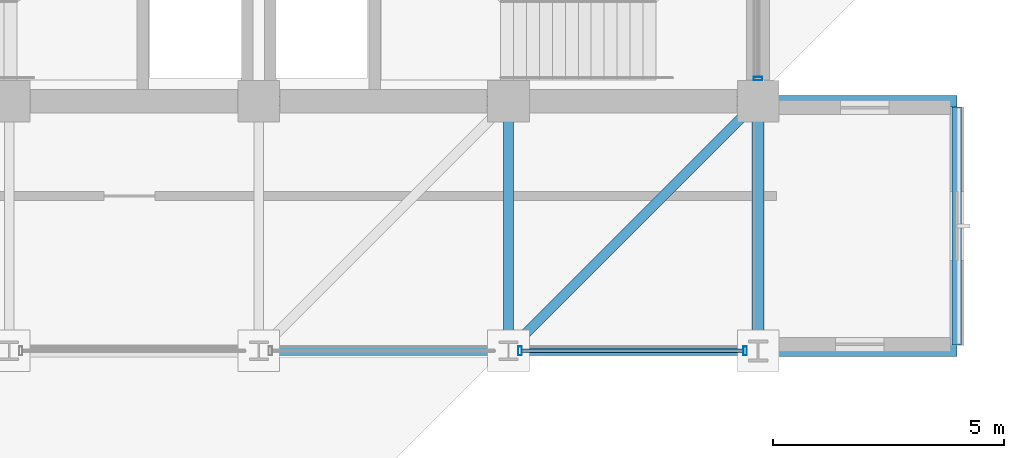
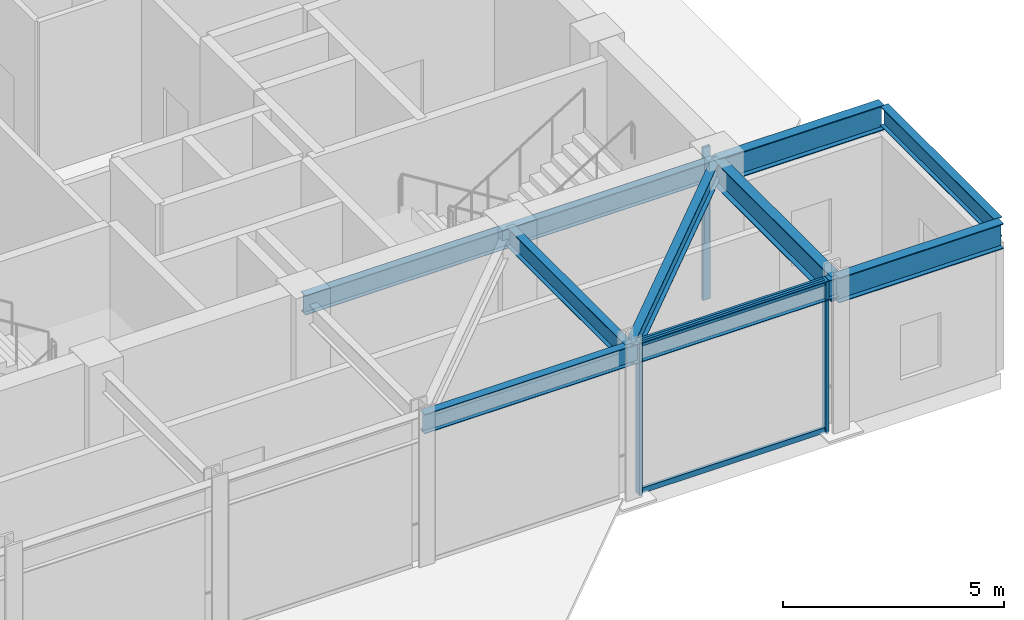
# One storey, part 6 of 22: 8 beams, 5 members, 2 elements without a shape of their own.
"""IFC4 building model written with IfcOpenShell, lengths in metres."""

import ifcopenshell
import ifcopenshell.guid

model = None  # the IFC model being written
_history = None  # IfcOwnerHistory: only IFC2X3 demands one
_inside = {}  # id of a spatial element -> (the spatial element, [elements in it])
_under = {}  # id of a project, library or spatial element -> (it, [spatial elements below it])
_declared = {}  # id of a project -> (the project, [libraries it declares])
_typed = {}  # id of a type object -> (the type object, [elements of that type])
_made_of = {}  # id of a material, layer set ... -> (it, [elements and type objects made of it])


def new_model(schema):
    """Start an empty IFC model of exactly this schema.

    Asked for "IFC4X3", IfcOpenShell would pick the latest addendum, in which some entities
    have other attributes; the version numbers below select the first issue.
    IFC2X3 requires an IfcOwnerHistory on every rooted entity: one is made here for all.
    """
    global model, _history
    if schema == "IFC4X3":
        model = ifcopenshell.file(schema_version=(4, 3, 0, 0))
    else:
        model = ifcopenshell.file(schema=schema)
    _inside.clear()
    _under.clear()
    _declared.clear()
    _typed.clear()
    _made_of.clear()
    _history = None
    if model.schema == "IFC2X3":
        org = make("IfcOrganization", Name="unknown")
        user = make(
            "IfcPersonAndOrganization",
            ThePerson=make("IfcPerson", FamilyName="unknown"),
            TheOrganization=org,
        )
        app = make(
            "IfcApplication",
            ApplicationDeveloper=org,
            Version="unknown",
            ApplicationFullName="unknown",
            ApplicationIdentifier="unknown",
        )
        _history = make(
            "IfcOwnerHistory",
            OwningUser=user,
            OwningApplication=app,
            ChangeAction="ADDED",
            CreationDate=0,
        )
    return model


def make(cls, **values):
    """One entity of the class cls with the attributes given. An attribute that is None is left unset."""
    return model.create_entity(
        cls, **{name: value for name, value in values.items() if value is not None}
    )


def rooted(cls, **values):
    """An entity with a GlobalId (a new one), such as an element, a storey or a relation."""
    return make(cls, GlobalId=ifcopenshell.guid.new(), OwnerHistory=_history, **values)


def si_unit(unit_type, name, prefix=None):
    """IfcSIUnit, for example si_unit("LENGTHUNIT", "METRE", prefix="MILLI")."""
    return make("IfcSIUnit", UnitType=unit_type, Prefix=prefix, Name=name)


def assignment(units):
    """IfcUnitAssignment: the units of a project."""
    return None if units is None else make("IfcUnitAssignment", Units=units)


def point(xyz):
    """IfcCartesianPoint."""
    return None if xyz is None else make("IfcCartesianPoint", Coordinates=xyz)


def direction(xyz):
    """IfcDirection."""
    return None if xyz is None else make("IfcDirection", DirectionRatios=xyz)


def frame(location, z_axis=None, x_axis=None):
    """IfcAxis2Placement3D, a coordinate frame: its origin and axes. An axis left out is left unset."""
    return make(
        "IfcAxis2Placement3D",
        Location=point(location),
        Axis=direction(z_axis),
        RefDirection=direction(x_axis),
    )


def frame_2d(location, x_axis=None):
    """IfcAxis2Placement2D, a coordinate frame in the plane: its origin and x axis."""
    return make(
        "IfcAxis2Placement2D", Location=point(location), RefDirection=direction(x_axis)
    )


def origin():
    """The frame at (0, 0, 0) with its axes left unset."""
    return frame((0.0, 0.0, 0.0))


def origin_2d():
    """The frame at (0, 0) in the plane with its x axis left unset."""
    return frame_2d((0.0, 0.0))


def place(relative_to, where):
    """IfcLocalPlacement: puts the frame where relative to a parent placement (None: the world)."""
    return make(
        "IfcLocalPlacement", PlacementRelTo=relative_to, RelativePlacement=where
    )


def context(
    kind, dimensions, precision=None, world=None, true_north=None, identifier=None
):
    """IfcGeometricRepresentationContext, for example the 3D "Model" context."""
    return make(
        "IfcGeometricRepresentationContext",
        ContextIdentifier=identifier,
        ContextType=kind,
        CoordinateSpaceDimension=dimensions,
        Precision=precision,
        WorldCoordinateSystem=world,
        TrueNorth=true_north,
    )


def subcontext(parent, identifier, kind, view, scale=None):
    """IfcGeometricRepresentationSubContext, for example "Body" below "Model"."""
    return make(
        "IfcGeometricRepresentationSubContext",
        ContextIdentifier=identifier,
        ContextType=kind,
        ParentContext=parent,
        TargetScale=scale,
        TargetView=view,
    )


def project(units=None, contexts=None):
    """IfcProject with its units and contexts."""
    return rooted(
        "IfcProject",
        Name="project",
        RepresentationContexts=contexts,
        UnitsInContext=assignment(units),
    )


def spatial(cls, under=None, at=None, **own):
    """A site, building, storey or space (cls), placed at a placement, below another one or the project."""
    s = rooted(cls, ObjectPlacement=at, **own)
    if under is not None:
        _under.setdefault(under.id(), (under, []))[1].append(s)
    return s


def profile(cls, at=None, kind="AREA", **sizes):
    """A parametric profile (cls). Its sizes go by their IFC names, for example OverallWidth=200.0."""
    return make(cls, ProfileType=kind, Position=at, **sizes)


def hollow_rectangle(**sizes):
    """IfcRectangleHollowProfileDef."""
    return profile("IfcRectangleHollowProfileDef", **sizes)


def i_section(**sizes):
    """IfcIShapeProfileDef."""
    return profile("IfcIShapeProfileDef", **sizes)


def extrude(swept, where, along, depth):
    """IfcExtrudedAreaSolid: the profile swept, set in the frame where, extruded along a direction by depth."""
    return make(
        "IfcExtrudedAreaSolid",
        SweptArea=swept,
        Position=where,
        ExtrudedDirection=direction(along),
        Depth=depth,
    )


def shape(context_of_items, identifier, shape_type, items):
    """IfcShapeRepresentation: the items that make up one representation, for example the "Body"."""
    return make(
        "IfcShapeRepresentation",
        ContextOfItems=context_of_items,
        RepresentationIdentifier=identifier,
        RepresentationType=shape_type,
        Items=items,
    )


def material(Name=None, Category=None):
    """IfcMaterial."""
    return make("IfcMaterial", Name=Name, Category=Category)


def layer(
    of_material, thickness, ventilated=None, Name=None, Category=None, Priority=None
):
    """IfcMaterialLayer: one layer of a wall or slab, of a material (None: an air gap)."""
    return make(
        "IfcMaterialLayer",
        Material=of_material,
        LayerThickness=thickness,
        IsVentilated=ventilated,
        Name=Name,
        Category=Category,
        Priority=Priority,
    )


def layer_set(layers, Name=None):
    """IfcMaterialLayerSet."""
    return make("IfcMaterialLayerSet", MaterialLayers=layers, LayerSetName=Name)


def material_profile(
    of_material, cross_section, Name=None, Category=None, Priority=None
):
    """IfcMaterialProfile: a cross section and its material."""
    return make(
        "IfcMaterialProfile",
        Name=Name,
        Material=of_material,
        Profile=cross_section,
        Priority=Priority,
        Category=Category,
    )


def profile_set(profiles, Name=None, composite=None):
    """IfcMaterialProfileSet."""
    return make(
        "IfcMaterialProfileSet",
        Name=Name,
        MaterialProfiles=profiles,
        CompositeProfile=composite,
    )


def made_of(thing, what):
    """Note that an element or type object is made of a material, layer set ...; save() writes the relation."""
    if what is not None:
        _made_of.setdefault(what.id(), (what, []))[1].append(thing)
    return thing


def type_object(cls, material=None, **own):
    """A type object (cls), such as IfcWallType, which elements share."""
    return made_of(rooted(cls, **own), material)


def element(
    cls,
    number,
    at=None,
    inside=None,
    cuts=None,
    type_object=None,
    material=None,
    context=None,
    identifier="Body",
    shape_type=None,
    held_by="IfcProductDefinitionShape",
    body=None,
    shapes=None,
    **own,
):
    """One element of the class cls, such as IfcWall. Its Tag is "e" and its number.

    at: its placement. inside: the storey or other place that contains it. cuts: it is an
    opening in that element (IfcRelVoidsElement). A single representation is given by context,
    identifier, shape_type and body (its items); several are given by shapes. held_by: the class
    of the entity that holds the representations. save() writes the other relations.
    """
    e = rooted(cls, Tag="e%d" % number, ObjectPlacement=at, **own)
    if body is not None:
        shapes = [shape(context, identifier, shape_type, body)]
    if shapes is not None:
        e.Representation = make(held_by, Representations=shapes)
    if inside is not None:
        _inside.setdefault(inside.id(), (inside, []))[1].append(e)
    if cuts is not None:
        rooted(
            "IfcRelVoidsElement", RelatingBuildingElement=cuts, RelatedOpeningElement=e
        )
    if type_object is not None:
        _typed.setdefault(type_object.id(), (type_object, []))[1].append(e)
    return made_of(e, material)


def aggregate(whole, parts):
    """IfcRelAggregates: a whole, such as a stair, and the parts it consists of."""
    return rooted("IfcRelAggregates", RelatingObject=whole, RelatedObjects=parts)


def save(model, path):
    """Write the relations noted so far, then the file.

    IfcRelAggregates (storeys below a building ...), IfcRelContainedInSpatialStructure (elements
    in a storey), IfcRelDefinesByType, IfcRelAssociatesMaterial and IfcRelDeclares: one each for
    every whole, place, type object, material and project.
    """
    for whole, parts in _under.values():
        aggregate(whole, parts)
    for where, things in _inside.values():
        rooted(
            "IfcRelContainedInSpatialStructure",
            RelatedElements=things,
            RelatingStructure=where,
        )
    for kind, things in _typed.values():
        rooted("IfcRelDefinesByType", RelatedObjects=things, RelatingType=kind)
    for what, things in _made_of.values():
        rooted("IfcRelAssociatesMaterial", RelatedObjects=things, RelatingMaterial=what)
    for by, libraries in _declared.values():
        rooted("IfcRelDeclares", RelatingContext=by, RelatedDefinitions=libraries)
    model.write(path)


model = new_model("IFC4")

# Units and contexts
model_context = context("Model", 3, precision=1e-05, world=origin(), true_north=direction((0.0, 1.0)))
body_context = subcontext(model_context, "Body", "Model", "MODEL_VIEW")
ifc_project = project(units=[si_unit("LENGTHUNIT", "METRE"), si_unit("AREAUNIT", "SQUARE_METRE"), si_unit("VOLUMEUNIT", "CUBIC_METRE"), si_unit("PLANEANGLEUNIT", "RADIAN"), si_unit("MASSUNIT", "GRAM", prefix="KILO")], contexts=[model_context])

# Site, building, storey
site_placement = place(None, origin())
site = spatial("IfcSite", under=ifc_project, at=site_placement, CompositionType="ELEMENT")
building_placement = place(site_placement, origin())
building = spatial("IfcBuilding", under=site, at=building_placement, Name="Surkhivell Harbour Commons", CompositionType="ELEMENT")
storey_placement = place(building_placement, frame((0.0, 0.0, 337.5)))
storey = spatial("IfcBuildingStorey", under=building, at=storey_placement, Name="L88", CompositionType="ELEMENT", Elevation=337.5)

# Beams
ifc_material_1 = material(Name="Steel S460", Category="steel")
ifc_material_profile_1 = material_profile(ifc_material_1, i_section(OverallWidth=0.256103515625, OverallDepth=0.693115234375, WebThickness=0.014404296875, FlangeThickness=0.023681640625, at=origin_2d()), Name="UB686x254x170")
ifc_profile_set_1 = profile_set([ifc_material_profile_1], Name="Steel S460")
beam_type_1 = type_object("IfcBeamType", Name="BM-CNT-686", PredefinedType="BEAM", material=ifc_profile_set_1)
for number, where, z_axis, x_axis, name in (
    (1, (10.800048828125, -16.199951171875, 3.87353515625), (1.0, 0.0, 0.0), (0.0, 1.0, 0.0), "L88 Box Cantilever Outrigger (10.8,-16.2)"),
    (2, (10.800048828125, -10.800048828125, 3.87353515625), (1.0, 0.0, 0.0), (0.0, 1.0, 0.0), "L88 Box Cantilever Outrigger (10.8,-10.8)"),
):
    element("IfcBeam", number, at=place(storey_placement, frame(where, z_axis=z_axis, x_axis=x_axis)), inside=storey, type_object=beam_type_1, Name=name, PredefinedType="BEAM", context=body_context, shape_type="SweptSolid", body=[
        extrude(i_section(OverallWidth=0.256103515625, OverallDepth=0.693115234375, WebThickness=0.014404296875, FlangeThickness=0.023681640625, at=origin_2d()), origin(), (0.0, 0.0, 1.0), 4.300048828125),
    ])
ifc_material_2 = material(Name="Steel S355", Category="steel")
ifc_material_profile_2 = material_profile(ifc_material_2, i_section(OverallWidth=0.2099609375, OverallDepth=0.537109375, WebThickness=0.0107421875, FlangeThickness=0.017333984375, at=origin_2d()), Name="UB533x210x101")
ifc_profile_set_2 = profile_set([ifc_material_profile_2], Name="Steel S355")
beam_type_2 = type_object("IfcBeamType", Name="BM-GRD-533B", PredefinedType="BEAM", material=ifc_profile_set_2)
for number, where, z_axis, x_axis, name in (
    (3, (0.0, -16.199951171875, 3.951416015625), (1.0, 0.0, 0.0), (0.0, 1.0, 0.0), "L88 Cantilever Back-Span Girder (0.0,-16.2)"),
    (4, (0.0, -10.800048828125, 3.951416015625), (1.0, 0.0, 0.0), (0.0, 1.0, 0.0), "L88 Cantilever Back-Span Girder (0.0,-10.8)"),
):
    element("IfcBeam", number, at=place(storey_placement, frame(where, z_axis=z_axis, x_axis=x_axis)), inside=storey, type_object=beam_type_2, Name=name, PredefinedType="BEAM", context=body_context, shape_type="SweptSolid", body=[
        extrude(i_section(OverallWidth=0.2099609375, OverallDepth=0.537109375, WebThickness=0.0107421875, FlangeThickness=0.017333984375, at=origin_2d()), origin(), (0.0, 0.0, 1.0), 10.800048828125),
    ])
beam_1_placement = place(storey_placement, frame((5.39990234375, -16.199951171875, 3.951416015625), z_axis=(0.0, 1.0, 0.0), x_axis=(-1.0, 0.0, 0.0)))
element("IfcBeam", 5, at=beam_1_placement, inside=storey, type_object=beam_type_2, Name="L88 Floor Girder (5.4,-16.2)", PredefinedType="BEAM", context=body_context, shape_type="SweptSolid", body=[
    extrude(i_section(OverallWidth=0.2099609375, OverallDepth=0.537109375, WebThickness=0.0107421875, FlangeThickness=0.017333984375, at=origin_2d()), origin(), (0.0, 0.0, 1.0), 5.39990234375),
])
beam_2_placement = place(storey_placement, frame((5.39990234375, -16.199951171875, 3.951416015625), z_axis=(0.707122765516, 0.707090796496, 0.0), x_axis=(-0.707090796496, 0.707122765516, 0.0)))
element("IfcBeam", 6, at=beam_2_placement, inside=storey, type_object=beam_type_2, Name="L88 Floor Girder (5.4,-16.2)", PredefinedType="BEAM", context=body_context, shape_type="SweptSolid", body=[
    extrude(i_section(OverallWidth=0.2099609375, OverallDepth=0.537109375, WebThickness=0.0107421875, FlangeThickness=0.017333984375, at=origin_2d()), origin(), (0.0, 0.0, 1.0), 7.63671875),
])
beam_3_placement = place(storey_placement, frame((15.10009765625, -16.077880859375, 3.951416015625), z_axis=(0.0, 1.0, 0.0), x_axis=(-1.0, 0.0, 0.0)))
element("IfcBeam", 7, at=beam_3_placement, inside=storey, type_object=beam_type_2, Name="L88 Box Rim Spandrel (15.1,-16.2)", PredefinedType="BEAM", context=body_context, shape_type="SweptSolid", body=[
    extrude(i_section(OverallWidth=0.2099609375, OverallDepth=0.537109375, WebThickness=0.0107421875, FlangeThickness=0.017333984375, at=origin_2d()), origin(), (0.0, 0.0, 1.0), 5.15576171875),
])
ifc_material_profile_3 = material_profile(ifc_material_2, i_section(OverallWidth=0.256103515625, OverallDepth=0.693115234375, WebThickness=0.014404296875, FlangeThickness=0.023681640625, at=origin_2d()), Name="UB686x254x170")
ifc_profile_set_3 = profile_set([ifc_material_profile_3], Name="Steel S355")
beam_type_3 = type_object("IfcBeamType", Name="BM-SPN-686", PredefinedType="SPANDREL", material=ifc_profile_set_3)
beam_4_placement = place(storey_placement, frame((10.800048828125, -16.199951171875, 3.87353515625), z_axis=(0.0, 1.0, 0.0), x_axis=(-1.0, 0.0, 0.0)))
element("IfcBeam", 8, at=beam_4_placement, inside=storey, type_object=beam_type_3, Name="L88 Tube Spandrel (10.8,-16.2)", PredefinedType="SPANDREL", context=body_context, shape_type="SweptSolid", body=[
    extrude(i_section(OverallWidth=0.256103515625, OverallDepth=0.693115234375, WebThickness=0.014404296875, FlangeThickness=0.023681640625, at=origin_2d()), origin(), (0.0, 0.0, 1.0), 5.39990234375),
])

# Curtain wall, members
ifc_material_3 = material(Name="Anodised pale-metal aluminium and insulated glazing", Category="aluminium")
ifc_layer = layer(ifc_material_3, 0.22998046875)
ifc_layer_set = layer_set([ifc_layer], Name="Anodised pale-metal aluminium and insulated glazing")
curtain_wall_type = type_object("IfcCurtainWallType", Name="CW-SYS-CRN", PredefinedType="NOTDEFINED", material=ifc_layer_set)
curtain_wall_1_placement = place(storey_placement, origin())
curtain_wall_1 = element("IfcCurtainWall", 9, at=curtain_wall_1_placement, inside=storey, type_object=curtain_wall_type, Name="L88 Curtain Wall CW-L88-C00", PredefinedType="NOTDEFINED")
ifc_material_4 = material(Name="Anodised pale-metal aluminium alloy 6063-T6", Category="aluminium")
ifc_material_profile_4 = material_profile(ifc_material_4, hollow_rectangle(XDim=0.074951171875, YDim=0.18994140625, WallThickness=0.00390625, at=origin_2d()), Name="ALU-MULL-75x190")
ifc_profile_set_4 = profile_set([ifc_material_profile_4], Name="Anodised pale-metal aluminium alloy 6063-T6")
member_type_1 = type_object("IfcMemberType", Name="CWM-190", PredefinedType="MULLION", material=ifc_profile_set_4)
member_1_placement = place(storey_placement, frame((5.6494140625, -16.199951171875, 0.0), z_axis=(0.0, 0.0, 1.0), x_axis=(1.0, 0.0, 0.0)))
member_1 = element("IfcMember", 10, at=member_1_placement, type_object=member_type_1, Name="CW-CRN mullion 6", PredefinedType="MULLION", context=body_context, shape_type="SweptSolid", body=[
    extrude(hollow_rectangle(XDim=0.074951171875, YDim=0.18994140625, WallThickness=0.00390625, at=origin_2d()), origin(), (0.0, 0.0, 1.0), 4.219970703125),
])
member_2_placement = place(storey_placement, frame((10.5205078125, -16.199951171875, 0.0), z_axis=(0.0, 0.0, 1.0), x_axis=(1.0, 0.0, 0.0)))
member_2 = element("IfcMember", 11, at=member_2_placement, type_object=member_type_1, Name="CW-CRN mullion 7", PredefinedType="MULLION", context=body_context, shape_type="SweptSolid", body=[
    extrude(hollow_rectangle(XDim=0.074951171875, YDim=0.18994140625, WallThickness=0.00390625, at=origin_2d()), origin(), (0.0, 0.0, 1.0), 4.219970703125),
])

# Curtain wall, member
curtain_wall_2_placement = place(storey_placement, origin())
curtain_wall_2 = element("IfcCurtainWall", 12, at=curtain_wall_2_placement, inside=storey, type_object=curtain_wall_type, Name="L88 Curtain Wall CW-L88-C01S1", PredefinedType="NOTDEFINED")
member_3_placement = place(storey_placement, frame((10.800048828125, -10.310546875, 0.0), z_axis=(0.0, 0.0, 1.0), x_axis=(0.0, 1.0, 0.0)))
member_3 = element("IfcMember", 13, at=member_3_placement, type_object=member_type_1, Name="CW-CRN mullion 1", PredefinedType="MULLION", context=body_context, shape_type="SweptSolid", body=[
    extrude(hollow_rectangle(XDim=0.074951171875, YDim=0.18994140625, WallThickness=0.00390625, at=origin_2d()), origin(), (0.0, 0.0, 1.0), 4.219970703125),
])
aggregate(curtain_wall_2, [member_3])

# Member
ifc_material_profile_5 = material_profile(ifc_material_4, hollow_rectangle(XDim=0.074951171875, YDim=0.14990234375, WallThickness=0.00341796875, at=origin_2d()), Name="ALU-TRAN-75x150")
ifc_profile_set_5 = profile_set([ifc_material_profile_5], Name="Anodised pale-metal aluminium alloy 6063-T6")
member_type_2 = type_object("IfcMemberType", Name="CWT-150", PredefinedType="USERDEFINED", material=ifc_profile_set_5)
member_4_placement = place(storey_placement, frame((5.68701171875, -16.199951171875, 0.074951171875), z_axis=(1.0, 0.0, 0.0), x_axis=(0.0, 1.0, 0.0)))
member_4 = element("IfcMember", 14, at=member_4_placement, type_object=member_type_2, Name="CW-CRN transom 6.1", ObjectType="TRANSOM", PredefinedType="USERDEFINED", context=body_context, shape_type="SweptSolid", body=[
    extrude(hollow_rectangle(XDim=0.074951171875, YDim=0.14990234375, WallThickness=0.00341796875, at=origin_2d()), origin(), (0.0, 0.0, 1.0), 4.7958984375),
])

member_5_placement = place(storey_placement, frame((5.68701171875, -16.199951171875, 4.14501953125), z_axis=(1.0, 0.0, 0.0), x_axis=(0.0, 1.0, 0.0)))
member_5 = element("IfcMember", 15, at=member_5_placement, type_object=member_type_2, Name="CW-CRN transom 6.2", ObjectType="TRANSOM", PredefinedType="USERDEFINED", context=body_context, shape_type="SweptSolid", body=[
    extrude(hollow_rectangle(XDim=0.074951171875, YDim=0.14990234375, WallThickness=0.00341796875, at=origin_2d()), origin(), (0.0, 0.0, 1.0), 4.7958984375),
])

aggregate(curtain_wall_1, [member_1, member_2, member_4, member_5])

save(model, "model.ifc")
